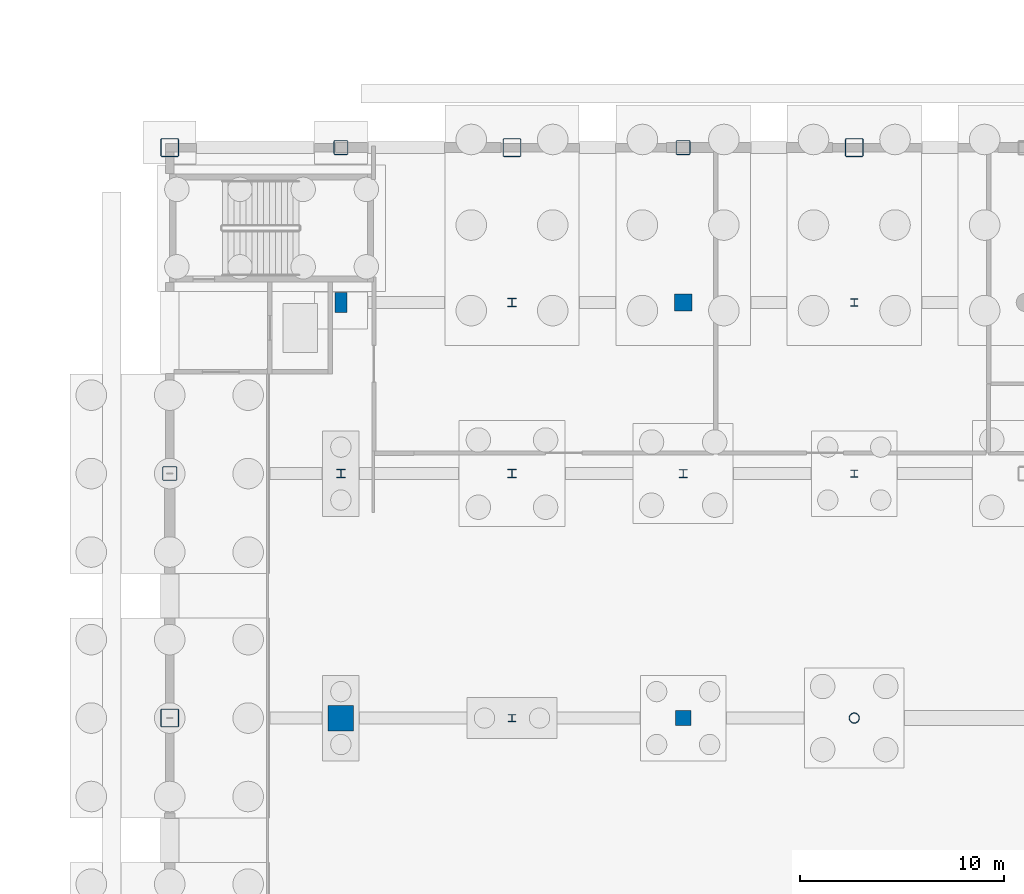
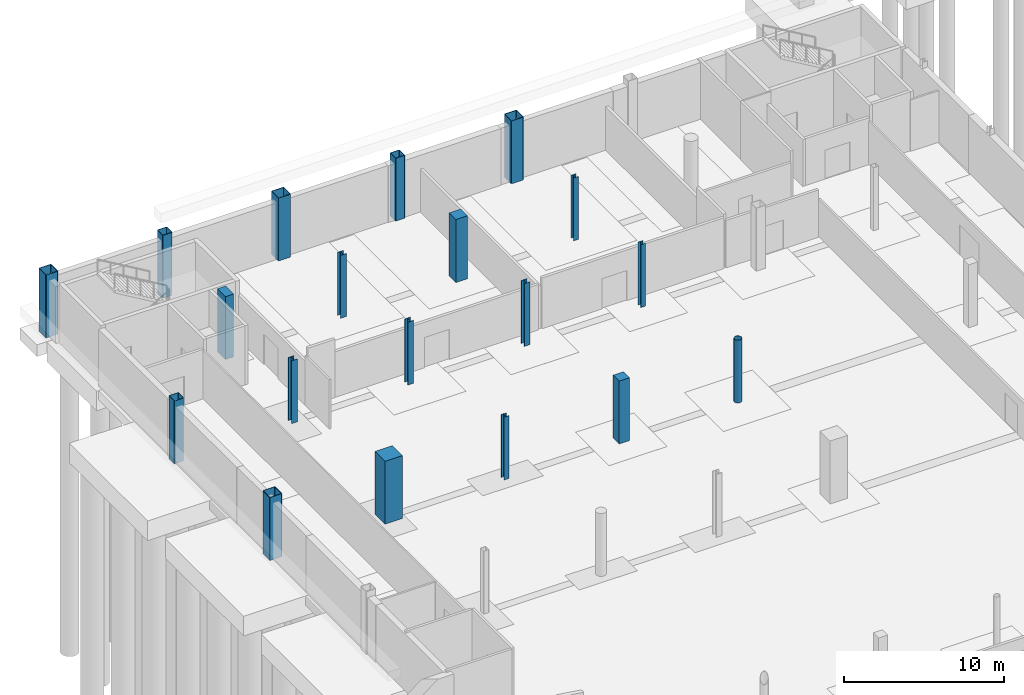
# One storey, part 13 of 34: 19 columns.
"""IFC4 building model written with IfcOpenShell, lengths in metres."""

from ifc_helpers import new_model, si_unit, direction, frame, origin, origin_2d, place, context, subcontext, project, spatial, rectangle, hollow_rectangle, hollow_circle, i_section, extrude, material, material_profile, profile_set, type_object, element, save


model = new_model("IFC4")

# Units and contexts
model_context = context("Model", 3, precision=1e-05, world=origin(), true_north=direction((0.0, 1.0)))
body_context = subcontext(model_context, "Body", "Model", "MODEL_VIEW")
ifc_project = project(units=[si_unit("LENGTHUNIT", "METRE"), si_unit("AREAUNIT", "SQUARE_METRE"), si_unit("VOLUMEUNIT", "CUBIC_METRE"), si_unit("PLANEANGLEUNIT", "RADIAN"), si_unit("MASSUNIT", "GRAM", prefix="KILO")], contexts=[model_context])

# Site, building, storey
site_placement = place(None, origin())
site = spatial("IfcSite", under=ifc_project, at=site_placement, CompositionType="ELEMENT")
building_placement = place(site_placement, origin())
building = spatial("IfcBuilding", under=site, at=building_placement, Name="Larkvane Passage Sports Hall", CompositionType="ELEMENT")
storey_placement = place(building_placement, frame((0.0, 0.0, -4.800048828125)))
storey = spatial("IfcBuildingStorey", under=building, at=storey_placement, Name="B01", CompositionType="ELEMENT", Elevation=-4.800048828125)

# Columns
ifc_material_1 = material(Name="Concrete C50/60", Category="concrete")
ifc_material_profile_1 = material_profile(ifc_material_1, rectangle(XDim=1.25, YDim=1.25, at=origin_2d()), Name="RC-COL-1250x1250")
ifc_profile_set_1 = profile_set([ifc_material_profile_1], Name="Concrete C50/60")
column_type_1 = type_object("IfcColumnType", Name="COL-RC-1250", PredefinedType="COLUMN", material=ifc_profile_set_1)
column_1_placement = place(storey_placement, frame((43.199951171875, 63.60009765625, 0.0), z_axis=(0.0, 0.0, 1.0), x_axis=(1.0, 0.0, 0.0)))
element("IfcColumn", 1, at=column_1_placement, inside=storey, type_object=column_type_1, Name="Column 7/H B01", PredefinedType="COLUMN", context=body_context, shape_type="SweptSolid", body=[
    extrude(rectangle(XDim=1.25, YDim=1.25, at=origin_2d()), origin(), (0.0, 0.0, 1.0), 4.800048828125),
])
ifc_material_2 = material(Name="Concrete C40/50", Category="concrete")
ifc_material_profile_2 = material_profile(ifc_material_2, rectangle(XDim=0.60009765625, YDim=1.0, at=origin_2d()), Name="RC-COL-600x1000")
ifc_profile_set_2 = profile_set([ifc_material_profile_2], Name="Concrete C40/50")
column_type_2 = type_object("IfcColumnType", Name="COL-RC-600x1000", PredefinedType="COLUMN", material=ifc_profile_set_2)
column_2_placement = place(storey_placement, frame((43.199951171875, 84.0, 0.0), z_axis=(0.0, 0.0, 1.0), x_axis=(1.0, 0.0, 0.0)))
element("IfcColumn", 2, at=column_2_placement, inside=storey, type_object=column_type_2, Name="Column 7/K B01", PredefinedType="COLUMN", context=body_context, shape_type="SweptSolid", body=[
    extrude(rectangle(XDim=0.60009765625, YDim=1.0, at=origin_2d()), origin(), (0.0, 0.0, 1.0), 4.800048828125),
])
ifc_material_profile_3 = material_profile(ifc_material_2, rectangle(XDim=0.75, YDim=0.75, at=origin_2d()), Name="RC-COL-750x750")
ifc_profile_set_3 = profile_set([ifc_material_profile_3], Name="Concrete C40/50")
column_type_3 = type_object("IfcColumnType", Name="COL-RC-750", PredefinedType="COLUMN", material=ifc_profile_set_3)
column_3_placement = place(storey_placement, frame((60.0, 63.60009765625, 0.0), z_axis=(0.0, 0.0, 1.0), x_axis=(1.0, 0.0, 0.0)))
element("IfcColumn", 3, at=column_3_placement, inside=storey, type_object=column_type_3, Name="Column 9/H B01", PredefinedType="COLUMN", context=body_context, shape_type="SweptSolid", body=[
    extrude(rectangle(XDim=0.75, YDim=0.75, at=origin_2d()), origin(), (0.0, 0.0, 1.0), 4.800048828125),
])
ifc_material_profile_4 = material_profile(ifc_material_1, rectangle(XDim=0.85009765625, YDim=0.85009765625, at=origin_2d()), Name="RC-COL-850x850")
ifc_profile_set_4 = profile_set([ifc_material_profile_4], Name="Concrete C50/60")
column_type_4 = type_object("IfcColumnType", Name="COL-RC-850", PredefinedType="COLUMN", material=ifc_profile_set_4)
column_4_placement = place(storey_placement, frame((60.0, 84.0, 0.0), z_axis=(0.0, 0.0, 1.0), x_axis=(1.0, 0.0, 0.0)))
element("IfcColumn", 4, at=column_4_placement, inside=storey, type_object=column_type_4, Name="Column 9/K B01", PredefinedType="COLUMN", context=body_context, shape_type="SweptSolid", body=[
    extrude(rectangle(XDim=0.85009765625, YDim=0.85009765625, at=origin_2d()), origin(), (0.0, 0.0, 1.0), 4.800048828125),
])
ifc_material_3 = material(Name="Steel S460N", Category="steel")
ifc_material_profile_5 = material_profile(ifc_material_3, hollow_rectangle(XDim=0.699951171875, YDim=0.699951171875, WallThickness=0.028076171875, InnerFilletRadius=0.028076171875, OuterFilletRadius=0.055908203125, at=origin_2d()), Name="BOX-700x700x28")
ifc_profile_set_5 = profile_set([ifc_material_profile_5], Name="Steel S460N")
column_type_5 = type_object("IfcColumnType", Name="COL-STL-BOX700", PredefinedType="COLUMN", material=ifc_profile_set_5)
for number, where, z_axis, x_axis, name in (
    (5, (34.800048828125, 75.60009765625, 0.0), (0.0, 0.0, 1.0), (1.0, 0.0, 0.0), "Column 6/J B01"),
    (6, (43.199951171875, 91.60009765625, 0.0), (0.0, 0.0, 1.0), (1.0, 0.0, 0.0), "Column 7/L B01"),
    (7, (60.0, 91.60009765625, 0.0), (0.0, 0.0, 1.0), (1.0, 0.0, 0.0), "Column 9/L B01"),
):
    element("IfcColumn", number, at=place(storey_placement, frame(where, z_axis=z_axis, x_axis=x_axis)), inside=storey, type_object=column_type_5, Name=name, PredefinedType="COLUMN", context=body_context, shape_type="SweptSolid", body=[
        extrude(hollow_rectangle(XDim=0.699951171875, YDim=0.699951171875, WallThickness=0.028076171875, InnerFilletRadius=0.028076171875, OuterFilletRadius=0.055908203125, at=origin_2d()), origin(), (0.0, 0.0, 1.0), 4.800048828125),
    ])
ifc_material_profile_6 = material_profile(ifc_material_3, hollow_rectangle(XDim=0.89990234375, YDim=0.89990234375, WallThickness=0.035888671875, InnerFilletRadius=0.035888671875, OuterFilletRadius=0.072021484375, at=origin_2d()), Name="BOX-900x900x36")
ifc_profile_set_6 = profile_set([ifc_material_profile_6], Name="Steel S460N")
column_type_6 = type_object("IfcColumnType", Name="COL-STL-BOX900", PredefinedType="COLUMN", material=ifc_profile_set_6)
for number, where, z_axis, x_axis, name in (
    (8, (34.800048828125, 63.60009765625, 0.0), (0.0, 0.0, 1.0), (1.0, 0.0, 0.0), "Column 6/H B01"),
    (9, (34.800048828125, 91.60009765625, 0.0), (0.0, 0.0, 1.0), (1.0, 0.0, 0.0), "Column 6/L B01"),
    (10, (51.60009765625, 91.60009765625, 0.0), (0.0, 0.0, 1.0), (1.0, 0.0, 0.0), "Column 8/L B01"),
    (11, (68.39990234375, 91.60009765625, 0.0), (0.0, 0.0, 1.0), (1.0, 0.0, 0.0), "Column 10/L B01"),
):
    element("IfcColumn", number, at=place(storey_placement, frame(where, z_axis=z_axis, x_axis=x_axis)), inside=storey, type_object=column_type_6, Name=name, PredefinedType="COLUMN", context=body_context, shape_type="SweptSolid", body=[
        extrude(hollow_rectangle(XDim=0.89990234375, YDim=0.89990234375, WallThickness=0.035888671875, InnerFilletRadius=0.035888671875, OuterFilletRadius=0.072021484375, at=origin_2d()), origin(), (0.0, 0.0, 1.0), 4.800048828125),
    ])
ifc_material_profile_7 = material_profile(ifc_material_3, hollow_circle(Radius=0.25390625, WallThickness=0.01904296875, at=origin_2d()), Name="CHS-508.0x19.0")
ifc_profile_set_7 = profile_set([ifc_material_profile_7], Name="Steel S460N")
column_type_7 = type_object("IfcColumnType", Name="COL-STL-CHS508", PredefinedType="COLUMN", material=ifc_profile_set_7)
column_5_placement = place(storey_placement, frame((68.39990234375, 63.60009765625, 0.0), z_axis=(0.0, 0.0, 1.0), x_axis=(1.0, 0.0, 0.0)))
element("IfcColumn", 12, at=column_5_placement, inside=storey, type_object=column_type_7, Name="Column 10/H B01", PredefinedType="COLUMN", context=body_context, shape_type="SweptSolid", body=[
    extrude(hollow_circle(Radius=0.25390625, WallThickness=0.01904296875, at=origin_2d()), origin(), (0.0, 0.0, 1.0), 4.800048828125),
])
ifc_material_4 = material(Name="Steel S355JR", Category="steel")
ifc_material_profile_8 = material_profile(ifc_material_4, i_section(OverallWidth=0.35009765625, OverallDepth=0.35009765625, WebThickness=0.011962890625, FlangeThickness=0.01904296875, FilletRadius=0.012939453125, at=origin_2d()), Name="H-350x350x12x19")
ifc_profile_set_8 = profile_set([ifc_material_profile_8], Name="Steel S355JR")
column_type_8 = type_object("IfcColumnType", Name="COL-STL-H350", PredefinedType="COLUMN", material=ifc_profile_set_8)
for number, where, z_axis, x_axis, name in (
    (13, (51.60009765625, 63.60009765625, 0.0), (0.0, 0.0, 1.0), (1.0, 0.0, 0.0), "Column 8/H B01"),
    (14, (68.39990234375, 75.60009765625, 0.0), (0.0, 0.0, 1.0), (1.0, 0.0, 0.0), "Column 10/J B01"),
    (15, (68.39990234375, 84.0, 0.0), (0.0, 0.0, 1.0), (1.0, 0.0, 0.0), "Column 10/K B01"),
):
    element("IfcColumn", number, at=place(storey_placement, frame(where, z_axis=z_axis, x_axis=x_axis)), inside=storey, type_object=column_type_8, Name=name, PredefinedType="COLUMN", context=body_context, shape_type="SweptSolid", body=[
        extrude(i_section(OverallWidth=0.35009765625, OverallDepth=0.35009765625, WebThickness=0.011962890625, FlangeThickness=0.01904296875, FilletRadius=0.012939453125, at=origin_2d()), origin(), (0.0, 0.0, 1.0), 4.800048828125),
    ])
ifc_material_profile_9 = material_profile(ifc_material_4, i_section(OverallWidth=0.39990234375, OverallDepth=0.39990234375, WebThickness=0.012939453125, FlangeThickness=0.02099609375, FilletRadius=0.02197265625, at=origin_2d()), Name="H-400x400x13x21")
ifc_profile_set_9 = profile_set([ifc_material_profile_9], Name="Steel S355JR")
column_type_9 = type_object("IfcColumnType", Name="COL-STL-H400", PredefinedType="COLUMN", material=ifc_profile_set_9)
for number, where, z_axis, x_axis, name in (
    (16, (51.60009765625, 84.0, 0.0), (0.0, 0.0, 1.0), (1.0, 0.0, 0.0), "Column 8/K B01"),
    (17, (60.0, 75.60009765625, 0.0), (0.0, 0.0, 1.0), (1.0, 0.0, 0.0), "Column 9/J B01"),
):
    element("IfcColumn", number, at=place(storey_placement, frame(where, z_axis=z_axis, x_axis=x_axis)), inside=storey, type_object=column_type_9, Name=name, PredefinedType="COLUMN", context=body_context, shape_type="SweptSolid", body=[
        extrude(i_section(OverallWidth=0.39990234375, OverallDepth=0.39990234375, WebThickness=0.012939453125, FlangeThickness=0.02099609375, FilletRadius=0.02197265625, at=origin_2d()), origin(), (0.0, 0.0, 1.0), 4.800048828125),
    ])
ifc_material_profile_10 = material_profile(ifc_material_3, i_section(OverallWidth=0.405029296875, OverallDepth=0.4140625, WebThickness=0.01806640625, FlangeThickness=0.028076171875, FilletRadius=0.02197265625, at=origin_2d()), Name="H-414x405x18x28")
ifc_profile_set_10 = profile_set([ifc_material_profile_10], Name="Steel S460N")
column_type_10 = type_object("IfcColumnType", Name="COL-STL-H414", PredefinedType="COLUMN", material=ifc_profile_set_10)
column_6_placement = place(storey_placement, frame((51.60009765625, 75.60009765625, 0.0), z_axis=(0.0, 0.0, 1.0), x_axis=(1.0, 0.0, 0.0)))
element("IfcColumn", 18, at=column_6_placement, inside=storey, type_object=column_type_10, Name="Column 8/J B01", PredefinedType="COLUMN", context=body_context, shape_type="SweptSolid", body=[
    extrude(i_section(OverallWidth=0.405029296875, OverallDepth=0.4140625, WebThickness=0.01806640625, FlangeThickness=0.028076171875, FilletRadius=0.02197265625, at=origin_2d()), origin(), (0.0, 0.0, 1.0), 4.800048828125),
])
ifc_material_profile_11 = material_profile(ifc_material_3, i_section(OverallWidth=0.406982421875, OverallDepth=0.427978515625, WebThickness=0.02001953125, FlangeThickness=0.034912109375, FilletRadius=0.02197265625, at=origin_2d()), Name="H-428x407x20x35")
ifc_profile_set_11 = profile_set([ifc_material_profile_11], Name="Steel S460N")
column_type_11 = type_object("IfcColumnType", Name="COL-STL-H428", PredefinedType="COLUMN", material=ifc_profile_set_11)
column_7_placement = place(storey_placement, frame((43.199951171875, 75.60009765625, 0.0), z_axis=(0.0, 0.0, 1.0), x_axis=(1.0, 0.0, 0.0)))
element("IfcColumn", 19, at=column_7_placement, inside=storey, type_object=column_type_11, Name="Column 7/J B01", PredefinedType="COLUMN", context=body_context, shape_type="SweptSolid", body=[
    extrude(i_section(OverallWidth=0.406982421875, OverallDepth=0.427978515625, WebThickness=0.02001953125, FlangeThickness=0.034912109375, FilletRadius=0.02197265625, at=origin_2d()), origin(), (0.0, 0.0, 1.0), 4.800048828125),
])

save(model, "model.ifc")
